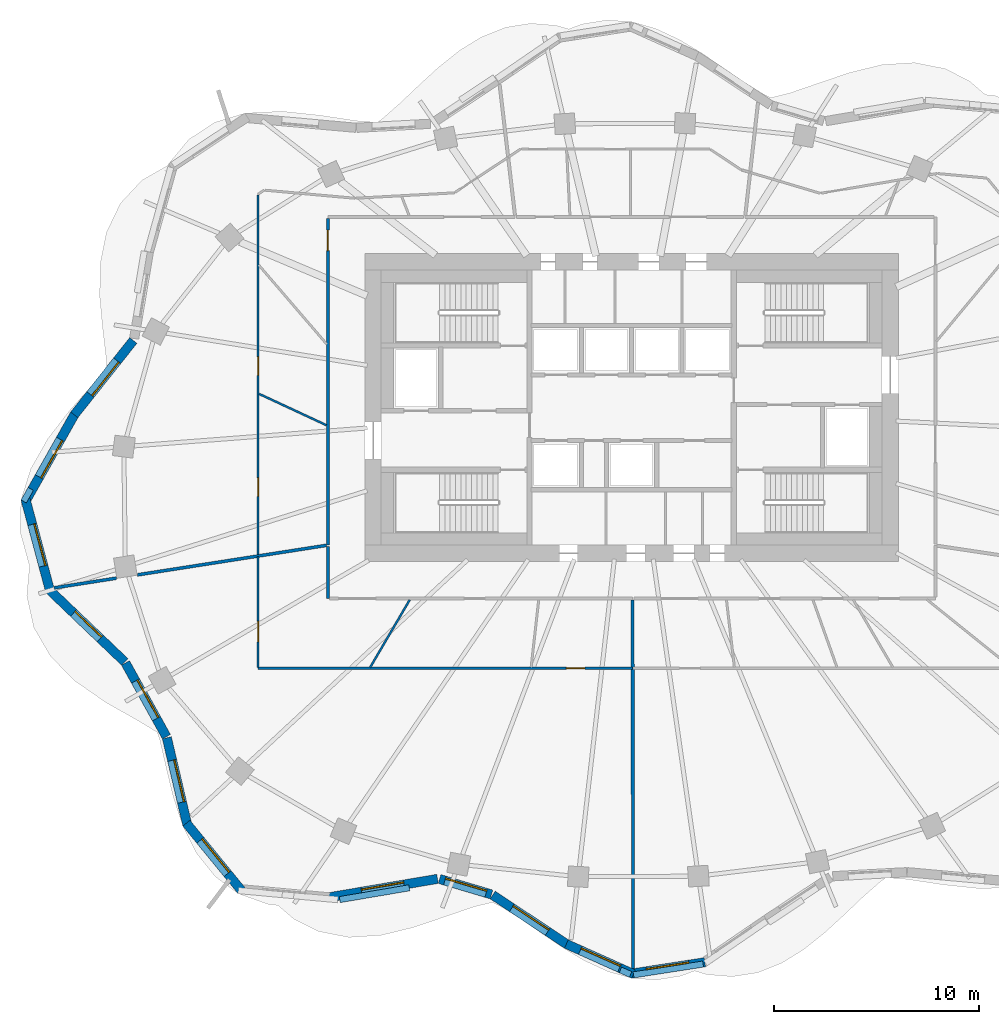
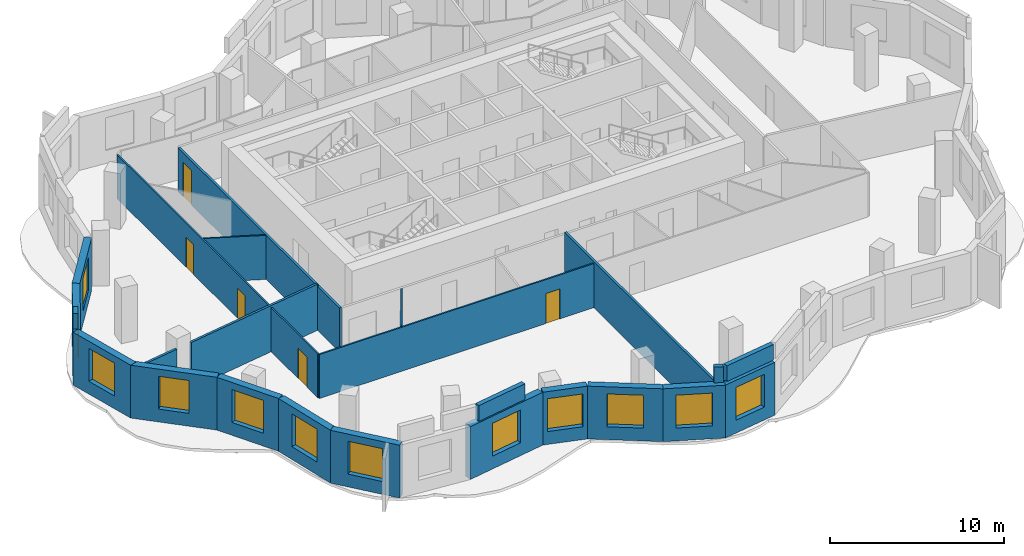
# One storey, part 3 of 9: 26 walls, 12 windows, 5 doors, 17 openings.
"""IFC4 building model written with IfcOpenShell, lengths in metres."""

from ifc_helpers import new_model, si_unit, direction, frame, frame_2d, origin, place, context, subcontext, project, spatial, rectangle, extrude, material, layer, layer_set, type_object, element, fill, save


model = new_model("IFC4")

# Units and contexts
model_context = context("Model", 3, precision=1e-05, world=origin(), true_north=direction((0.0, 1.0)))
body_context = subcontext(model_context, "Body", "Model", "MODEL_VIEW")
ifc_project = project(units=[si_unit("LENGTHUNIT", "METRE"), si_unit("AREAUNIT", "SQUARE_METRE"), si_unit("VOLUMEUNIT", "CUBIC_METRE"), si_unit("PLANEANGLEUNIT", "RADIAN"), si_unit("MASSUNIT", "GRAM", prefix="KILO")], contexts=[model_context])

# Site, building, storey
site_placement = place(None, origin())
site = spatial("IfcSite", under=ifc_project, at=site_placement, CompositionType="ELEMENT")
building_placement = place(site_placement, origin())
building = spatial("IfcBuilding", under=site, at=building_placement, Name="Rubra Terraces Tower", CompositionType="ELEMENT")
storey_placement = place(building_placement, frame((0.0, 0.0, 229.199951171875)))
storey = spatial("IfcBuildingStorey", under=building, at=storey_placement, Name="L56", CompositionType="ELEMENT", Elevation=229.199951171875)

# Wall, opening, window
ifc_material_1 = material(Name="Brick masonry red-brown", Category="masonry")
ifc_layer_1 = layer(ifc_material_1, 0.449951171875)
ifc_layer_set_1 = layer_set([ifc_layer_1], Name="Brick masonry red-brown")
wall_type_1 = type_object("IfcWallType", Name="Brick facade wall 450", PredefinedType="SOLIDWALL", material=ifc_layer_set_1)
wall_1_placement = place(storey_placement, frame((-24.2822265625, 7.773681640625, 0.0), z_axis=(0.0, 0.0, 1.0), x_axis=(-0.621735490397, -0.783227285008, 0.0)))
wall_1 = element("IfcWall", 1, at=wall_1_placement, inside=storey, type_object=wall_type_1, Name="Facade wall L56 bay 19", PredefinedType="SOLIDWALL", context=body_context, shape_type="SweptSolid", body=[
    extrude(rectangle(XDim=4.62451171875, YDim=0.449951171875, at=frame_2d((2.312255859375, 0.0))), origin(), (0.0, 0.0, 1.0), 3.699951171875),
])
opening_1_placement = place(wall_1_placement, frame((1.26220703125, 0.0, 0.89990234375)))
opening_1 = element("IfcOpeningElement", 2, at=opening_1_placement, cuts=wall_1, Name="Opening W1B", PredefinedType="OPENING", context=body_context, shape_type="SweptSolid", body=[
    extrude(rectangle(XDim=2.10009765625, YDim=2.300048828125, at=frame_2d((1.050048828125, 1.14990234375))), frame((0.0, 0.23486328125, 0.0), z_axis=(0.0, -1.0, 0.0), x_axis=(1.0, 0.0, 0.0)), (0.0, 0.0, 1.0), 0.469970703125),
])
ifc_material_2 = material(Name="Clear glass in aluminium frame", Category="aluminium")
window_type_1 = type_object("IfcWindowType", Name="Fixed deep-set window tall storey 2100 x 2300", PartitioningType="SINGLE_PANEL", PredefinedType="WINDOW", material=ifc_material_2)
window_1_placement = place(opening_1_placement, origin())
window_1 = element("IfcWindow", 3, at=window_1_placement, inside=storey, type_object=window_type_1, Name="Window L56 bay 19", OverallHeight=2.300048828125, OverallWidth=2.10009765625, PartitioningType="SINGLE_PANEL", PredefinedType="WINDOW", context=body_context, shape_type="SweptSolid", body=[
    extrude(rectangle(XDim=2.10009765625, YDim=2.300048828125, at=frame_2d((1.050048828125, 1.14990234375))), frame((0.0, 0.135009765625, 0.0), z_axis=(0.0, -1.0, 0.0), x_axis=(1.0, 0.0, 0.0)), (0.0, 0.0, 1.0), 0.06005859375),
])
fill(opening_1, window_1)

wall_2_placement = place(storey_placement, frame((-27.138427734375, 4.180908203125, 0.0), z_axis=(0.0, 0.0, 1.0), x_axis=(-0.491588303761, -0.870827732451, 0.0)))
wall_2 = element("IfcWall", 4, at=wall_2_placement, inside=storey, type_object=wall_type_1, Name="Facade wall L56 bay 20", PredefinedType="SOLIDWALL", context=body_context, shape_type="SweptSolid", body=[
    extrude(rectangle(XDim=4.924072265625, YDim=0.449951171875, at=frame_2d((2.4619140625, 0.0))), origin(), (0.0, 0.0, 1.0), 3.699951171875),
])
opening_2_placement = place(wall_2_placement, frame((1.412109375, 0.0, 0.89990234375)))
opening_2 = element("IfcOpeningElement", 5, at=opening_2_placement, cuts=wall_2, Name="Opening W1B", PredefinedType="OPENING", context=body_context, shape_type="SweptSolid", body=[
    extrude(rectangle(XDim=2.10009765625, YDim=2.300048828125, at=frame_2d((1.050048828125, 1.14990234375))), frame((0.0, 0.23486328125, 0.0), z_axis=(0.0, -1.0, 0.0), x_axis=(1.0, 0.0, 0.0)), (0.0, 0.0, 1.0), 0.469970703125),
])
window_2_placement = place(opening_2_placement, origin())
window_2 = element("IfcWindow", 6, at=window_2_placement, inside=storey, type_object=window_type_1, Name="Window L56 bay 20", OverallHeight=2.300048828125, OverallWidth=2.10009765625, PartitioningType="SINGLE_PANEL", PredefinedType="WINDOW", context=body_context, shape_type="SweptSolid", body=[
    extrude(rectangle(XDim=2.10009765625, YDim=2.300048828125, at=frame_2d((1.050048828125, 1.14990234375))), frame((0.0, 0.135009765625, 0.0), z_axis=(0.0, -1.0, 0.0), x_axis=(1.0, 0.0, 0.0)), (0.0, 0.0, 1.0), 0.06005859375),
])
fill(opening_2, window_2)

wall_3_placement = place(storey_placement, frame((-29.539794921875, 0.05810546875, 0.0), z_axis=(0.0, 0.0, 1.0), x_axis=(0.258581372102, -0.96598947924, 0.0)))
wall_3 = element("IfcWall", 7, at=wall_3_placement, inside=storey, type_object=wall_type_1, Name="Facade wall L56 bay 21", PredefinedType="SOLIDWALL", context=body_context, shape_type="SweptSolid", body=[
    extrude(rectangle(XDim=4.68017578125, YDim=0.449951171875, at=frame_2d((2.340087890625, 0.0))), origin(), (0.0, 0.0, 1.0), 3.699951171875),
])
opening_3_placement = place(wall_3_placement, frame((1.2900390625, 0.0, 0.89990234375)))
opening_3 = element("IfcOpeningElement", 8, at=opening_3_placement, cuts=wall_3, Name="Opening W1B", PredefinedType="OPENING", context=body_context, shape_type="SweptSolid", body=[
    extrude(rectangle(XDim=2.10009765625, YDim=2.300048828125, at=frame_2d((1.050048828125, 1.14990234375))), frame((0.0, 0.23486328125, 0.0), z_axis=(0.0, -1.0, 0.0), x_axis=(1.0, 0.0, 0.0)), (0.0, 0.0, 1.0), 0.469970703125),
])
window_3_placement = place(opening_3_placement, origin())
window_3 = element("IfcWindow", 9, at=window_3_placement, inside=storey, type_object=window_type_1, Name="Window L56 bay 21", OverallHeight=2.300048828125, OverallWidth=2.10009765625, PartitioningType="SINGLE_PANEL", PredefinedType="WINDOW", context=body_context, shape_type="SweptSolid", body=[
    extrude(rectangle(XDim=2.10009765625, YDim=2.300048828125, at=frame_2d((1.050048828125, 1.14990234375))), frame((0.0, 0.135009765625, 0.0), z_axis=(0.0, -1.0, 0.0), x_axis=(1.0, 0.0, 0.0)), (0.0, 0.0, 1.0), 0.06005859375),
])
fill(opening_3, window_3)

wall_4_placement = place(storey_placement, frame((-28.38720703125, -4.362548828125, 0.0), z_axis=(0.0, 0.0, 1.0), x_axis=(0.722717697728, -0.691143349379, 0.0)))
wall_4 = element("IfcWall", 10, at=wall_4_placement, inside=storey, type_object=wall_type_1, Name="Facade wall L56 bay 22", PredefinedType="SOLIDWALL", context=body_context, shape_type="SweptSolid", body=[
    extrude(rectangle(XDim=5.103271484375, YDim=0.449951171875, at=frame_2d((2.5517578125, 0.0))), origin(), (0.0, 0.0, 1.0), 3.699951171875),
])
opening_4_placement = place(wall_4_placement, frame((1.651611328125, 0.0, 0.89990234375)))
opening_4 = element("IfcOpeningElement", 11, at=opening_4_placement, cuts=wall_4, Name="Opening W6B", PredefinedType="OPENING", context=body_context, shape_type="SweptSolid", body=[
    extrude(rectangle(XDim=1.800048828125, YDim=2.300048828125, at=frame_2d((0.89990234375, 1.14990234375))), frame((0.0, 0.23486328125, 0.0), z_axis=(0.0, -1.0, 0.0), x_axis=(1.0, 0.0, 0.0)), (0.0, 0.0, 1.0), 0.469970703125),
])
window_type_2 = type_object("IfcWindowType", Name="Fixed deep-set window at wind fin tall storey 1800 x 2300", PartitioningType="SINGLE_PANEL", PredefinedType="WINDOW", material=ifc_material_2)
window_4_placement = place(opening_4_placement, origin())
window_4 = element("IfcWindow", 12, at=window_4_placement, inside=storey, type_object=window_type_2, Name="Window L56 bay 22", OverallHeight=2.300048828125, OverallWidth=1.800048828125, PartitioningType="SINGLE_PANEL", PredefinedType="WINDOW", context=body_context, shape_type="SweptSolid", body=[
    extrude(rectangle(XDim=1.800048828125, YDim=2.300048828125, at=frame_2d((0.89990234375, 1.14990234375))), frame((0.0, 0.135009765625, 0.0), z_axis=(0.0, -1.0, 0.0), x_axis=(1.0, 0.0, 0.0)), (0.0, 0.0, 1.0), 0.06005859375),
])
fill(opening_4, window_4)

wall_5_placement = place(storey_placement, frame((-24.662109375, -7.93896484375, 0.0), z_axis=(0.0, 0.0, 1.0), x_axis=(0.485153910721, -0.874428775208, 0.0)))
wall_5 = element("IfcWall", 13, at=wall_5_placement, inside=storey, type_object=wall_type_1, Name="Facade wall L56 bay 23", PredefinedType="SOLIDWALL", context=body_context, shape_type="SweptSolid", body=[
    extrude(rectangle(XDim=4.1123046875, YDim=0.449951171875, at=frame_2d((2.05615234375, 0.0))), origin(), (0.0, 0.0, 1.0), 3.699951171875),
])
opening_5_placement = place(wall_5_placement, frame((1.006103515625, 0.0, 0.89990234375)))
opening_5 = element("IfcOpeningElement", 14, at=opening_5_placement, cuts=wall_5, Name="Opening W1B", PredefinedType="OPENING", context=body_context, shape_type="SweptSolid", body=[
    extrude(rectangle(XDim=2.10009765625, YDim=2.300048828125, at=frame_2d((1.050048828125, 1.14990234375))), frame((0.0, 0.23486328125, 0.0), z_axis=(0.0, -1.0, 0.0), x_axis=(1.0, 0.0, 0.0)), (0.0, 0.0, 1.0), 0.469970703125),
])
window_5_placement = place(opening_5_placement, origin())
window_5 = element("IfcWindow", 15, at=window_5_placement, inside=storey, type_object=window_type_1, Name="Window L56 bay 23", OverallHeight=2.300048828125, OverallWidth=2.10009765625, PartitioningType="SINGLE_PANEL", PredefinedType="WINDOW", context=body_context, shape_type="SweptSolid", body=[
    extrude(rectangle(XDim=2.10009765625, YDim=2.300048828125, at=frame_2d((1.050048828125, 1.14990234375))), frame((0.0, 0.135009765625, 0.0), z_axis=(0.0, -1.0, 0.0), x_axis=(1.0, 0.0, 0.0)), (0.0, 0.0, 1.0), 0.06005859375),
])
fill(opening_5, window_5)

wall_6_placement = place(storey_placement, frame((-22.646484375, -11.5859375, 0.0), z_axis=(0.0, 0.0, 1.0), x_axis=(0.227925124198, -0.973678662475, 0.0)))
wall_6 = element("IfcWall", 16, at=wall_6_placement, inside=storey, type_object=wall_type_1, Name="Facade wall L56 bay 24", PredefinedType="SOLIDWALL", context=body_context, shape_type="SweptSolid", body=[
    extrude(rectangle(XDim=4.360595703125, YDim=0.449951171875, at=frame_2d((2.18017578125, 0.0))), origin(), (0.0, 0.0, 1.0), 3.699951171875),
])
opening_6_placement = place(wall_6_placement, frame((1.13037109375, 0.0, 0.89990234375)))
opening_6 = element("IfcOpeningElement", 17, at=opening_6_placement, cuts=wall_6, Name="Opening W1B", PredefinedType="OPENING", context=body_context, shape_type="SweptSolid", body=[
    extrude(rectangle(XDim=2.10009765625, YDim=2.300048828125, at=frame_2d((1.050048828125, 1.14990234375))), frame((0.0, 0.23486328125, 0.0), z_axis=(0.0, -1.0, 0.0), x_axis=(1.0, 0.0, 0.0)), (0.0, 0.0, 1.0), 0.469970703125),
])
window_6_placement = place(opening_6_placement, origin())
window_6 = element("IfcWindow", 18, at=window_6_placement, inside=storey, type_object=window_type_1, Name="Window L56 bay 24", OverallHeight=2.300048828125, OverallWidth=2.10009765625, PartitioningType="SINGLE_PANEL", PredefinedType="WINDOW", context=body_context, shape_type="SweptSolid", body=[
    extrude(rectangle(XDim=2.10009765625, YDim=2.300048828125, at=frame_2d((1.050048828125, 1.14990234375))), frame((0.0, 0.135009765625, 0.0), z_axis=(0.0, -1.0, 0.0), x_axis=(1.0, 0.0, 0.0)), (0.0, 0.0, 1.0), 0.06005859375),
])
fill(opening_6, window_6)

wall_7_placement = place(storey_placement, frame((-21.69580078125, -15.74755859375, 0.0), z_axis=(0.0, 0.0, 1.0), x_axis=(0.632968710519, -0.774177377288, 0.0)))
wall_7 = element("IfcWall", 19, at=wall_7_placement, inside=storey, type_object=wall_type_1, Name="Facade wall L56 bay 25", PredefinedType="SOLIDWALL", context=body_context, shape_type="SweptSolid", body=[
    extrude(rectangle(XDim=4.249755859375, YDim=0.449951171875, at=frame_2d((2.125, 0.0))), origin(), (0.0, 0.0, 1.0), 3.699951171875),
])
opening_7_placement = place(wall_7_placement, frame((1.074951171875, 0.0, 0.89990234375)))
opening_7 = element("IfcOpeningElement", 20, at=opening_7_placement, cuts=wall_7, Name="Opening W1B", PredefinedType="OPENING", context=body_context, shape_type="SweptSolid", body=[
    extrude(rectangle(XDim=2.10009765625, YDim=2.300048828125, at=frame_2d((1.050048828125, 1.14990234375))), frame((0.0, 0.23486328125, 0.0), z_axis=(0.0, -1.0, 0.0), x_axis=(1.0, 0.0, 0.0)), (0.0, 0.0, 1.0), 0.469970703125),
])
window_7_placement = place(opening_7_placement, origin())
window_7 = element("IfcWindow", 21, at=window_7_placement, inside=storey, type_object=window_type_1, Name="Window L56 bay 25", OverallHeight=2.300048828125, OverallWidth=2.10009765625, PartitioningType="SINGLE_PANEL", PredefinedType="WINDOW", context=body_context, shape_type="SweptSolid", body=[
    extrude(rectangle(XDim=2.10009765625, YDim=2.300048828125, at=frame_2d((1.050048828125, 1.14990234375))), frame((0.0, 0.135009765625, 0.0), z_axis=(0.0, -1.0, 0.0), x_axis=(1.0, 0.0, 0.0)), (0.0, 0.0, 1.0), 0.06005859375),
])
fill(opening_7, window_7)

wall_8_placement = place(storey_placement, frame((-14.78173828125, -19.366943359375, 0.0), z_axis=(0.0, 0.0, 1.0), x_axis=(0.98585584667, 0.167595493934, 0.0)))
wall_8 = element("IfcWall", 22, at=wall_8_placement, inside=storey, type_object=wall_type_1, Name="Facade wall L56 bay 27", PredefinedType="SOLIDWALL", context=body_context, shape_type="SweptSolid", body=[
    extrude(rectangle(XDim=5.398681640625, YDim=0.449951171875, at=frame_2d((2.69921875, 0.0))), origin(), (0.0, 0.0, 1.0), 3.699951171875),
])
opening_8_placement = place(wall_8_placement, frame((1.6494140625, 0.0, 0.89990234375)))
opening_8 = element("IfcOpeningElement", 23, at=opening_8_placement, cuts=wall_8, Name="Opening W1B", PredefinedType="OPENING", context=body_context, shape_type="SweptSolid", body=[
    extrude(rectangle(XDim=2.10009765625, YDim=2.300048828125, at=frame_2d((1.050048828125, 1.14990234375))), frame((0.0, 0.23486328125, 0.0), z_axis=(0.0, -1.0, 0.0), x_axis=(1.0, 0.0, 0.0)), (0.0, 0.0, 1.0), 0.469970703125),
])
window_8_placement = place(opening_8_placement, origin())
window_8 = element("IfcWindow", 24, at=window_8_placement, inside=storey, type_object=window_type_1, Name="Window L56 bay 27", OverallHeight=2.300048828125, OverallWidth=2.10009765625, PartitioningType="SINGLE_PANEL", PredefinedType="WINDOW", context=body_context, shape_type="SweptSolid", body=[
    extrude(rectangle(XDim=2.10009765625, YDim=2.300048828125, at=frame_2d((1.050048828125, 1.14990234375))), frame((0.0, 0.135009765625, 0.0), z_axis=(0.0, -1.0, 0.0), x_axis=(1.0, 0.0, 0.0)), (0.0, 0.0, 1.0), 0.06005859375),
])
fill(opening_8, window_8)

wall_9_placement = place(storey_placement, frame((-9.357421875, -18.468505859375, 0.0), z_axis=(0.0, 0.0, 1.0), x_axis=(0.958524054629, -0.285011643091, 0.0)))
wall_9 = element("IfcWall", 25, at=wall_9_placement, inside=storey, type_object=wall_type_1, Name="Facade wall L56 bay 28", PredefinedType="SOLIDWALL", context=body_context, shape_type="SweptSolid", body=[
    extrude(rectangle(XDim=2.637451171875, YDim=0.449951171875, at=frame_2d((1.31884765625, 0.0))), origin(), (0.0, 0.0, 1.0), 3.699951171875),
])
opening_9_placement = place(wall_9_placement, frame((0.268798828125, 0.0, 0.89990234375)))
opening_9 = element("IfcOpeningElement", 26, at=opening_9_placement, cuts=wall_9, Name="Opening W1B", PredefinedType="OPENING", context=body_context, shape_type="SweptSolid", body=[
    extrude(rectangle(XDim=2.10009765625, YDim=2.300048828125, at=frame_2d((1.050048828125, 1.14990234375))), frame((0.0, 0.23486328125, 0.0), z_axis=(0.0, -1.0, 0.0), x_axis=(1.0, 0.0, 0.0)), (0.0, 0.0, 1.0), 0.469970703125),
])
window_9_placement = place(opening_9_placement, origin())
window_9 = element("IfcWindow", 27, at=window_9_placement, inside=storey, type_object=window_type_1, Name="Window L56 bay 28", OverallHeight=2.300048828125, OverallWidth=2.10009765625, PartitioningType="SINGLE_PANEL", PredefinedType="WINDOW", context=body_context, shape_type="SweptSolid", body=[
    extrude(rectangle(XDim=2.10009765625, YDim=2.300048828125, at=frame_2d((1.050048828125, 1.14990234375))), frame((0.0, 0.135009765625, 0.0), z_axis=(0.0, -1.0, 0.0), x_axis=(1.0, 0.0, 0.0)), (0.0, 0.0, 1.0), 0.06005859375),
])
fill(opening_9, window_9)

wall_10_placement = place(storey_placement, frame((-6.76904296875, -19.248291015625, 0.0), z_axis=(0.0, 0.0, 1.0), x_axis=(0.832973379274, -0.553313066375, 0.0)))
wall_10 = element("IfcWall", 28, at=wall_10_placement, inside=storey, type_object=wall_type_1, Name="Facade wall L56 bay 29", PredefinedType="SOLIDWALL", context=body_context, shape_type="SweptSolid", body=[
    extrude(rectangle(XDim=4.348388671875, YDim=0.449951171875, at=frame_2d((2.17431640625, 0.0))), origin(), (0.0, 0.0, 1.0), 3.699951171875),
])
opening_10_placement = place(wall_10_placement, frame((1.1240234375, 0.0, 0.89990234375)))
opening_10 = element("IfcOpeningElement", 29, at=opening_10_placement, cuts=wall_10, Name="Opening W1B", PredefinedType="OPENING", context=body_context, shape_type="SweptSolid", body=[
    extrude(rectangle(XDim=2.10009765625, YDim=2.300048828125, at=frame_2d((1.050048828125, 1.14990234375))), frame((0.0, 0.23486328125, 0.0), z_axis=(0.0, -1.0, 0.0), x_axis=(1.0, 0.0, 0.0)), (0.0, 0.0, 1.0), 0.469970703125),
])
window_10_placement = place(opening_10_placement, origin())
window_10 = element("IfcWindow", 30, at=window_10_placement, inside=storey, type_object=window_type_1, Name="Window L56 bay 29", OverallHeight=2.300048828125, OverallWidth=2.10009765625, PartitioningType="SINGLE_PANEL", PredefinedType="WINDOW", context=body_context, shape_type="SweptSolid", body=[
    extrude(rectangle(XDim=2.10009765625, YDim=2.300048828125, at=frame_2d((1.050048828125, 1.14990234375))), frame((0.0, 0.135009765625, 0.0), z_axis=(0.0, -1.0, 0.0), x_axis=(1.0, 0.0, 0.0)), (0.0, 0.0, 1.0), 0.06005859375),
])
fill(opening_10, window_10)

wall_11_placement = place(storey_placement, frame((-3.179443359375, -21.63623046875, 0.0), z_axis=(0.0, 0.0, 1.0), x_axis=(0.912608353595, -0.40883492139, 0.0)))
wall_11 = element("IfcWall", 31, at=wall_11_placement, inside=storey, type_object=wall_type_1, Name="Facade wall L56 bay 30", PredefinedType="SOLIDWALL", context=body_context, shape_type="SweptSolid", body=[
    extrude(rectangle(XDim=3.584716796875, YDim=0.449951171875, at=frame_2d((1.79248046875, 0.0))), origin(), (0.0, 0.0, 1.0), 3.699951171875),
])
opening_11_placement = place(wall_11_placement, frame((0.7421875, 0.0, 0.89990234375)))
opening_11 = element("IfcOpeningElement", 32, at=opening_11_placement, cuts=wall_11, Name="Opening W1B", PredefinedType="OPENING", context=body_context, shape_type="SweptSolid", body=[
    extrude(rectangle(XDim=2.10009765625, YDim=2.300048828125, at=frame_2d((1.050048828125, 1.14990234375))), frame((0.0, 0.23486328125, 0.0), z_axis=(0.0, -1.0, 0.0), x_axis=(1.0, 0.0, 0.0)), (0.0, 0.0, 1.0), 0.469970703125),
])
window_11_placement = place(opening_11_placement, origin())
window_11 = element("IfcWindow", 33, at=window_11_placement, inside=storey, type_object=window_type_1, Name="Window L56 bay 30", OverallHeight=2.300048828125, OverallWidth=2.10009765625, PartitioningType="SINGLE_PANEL", PredefinedType="WINDOW", context=body_context, shape_type="SweptSolid", body=[
    extrude(rectangle(XDim=2.10009765625, YDim=2.300048828125, at=frame_2d((1.050048828125, 1.14990234375))), frame((0.0, 0.135009765625, 0.0), z_axis=(0.0, -1.0, 0.0), x_axis=(1.0, 0.0, 0.0)), (0.0, 0.0, 1.0), 0.06005859375),
])
fill(opening_11, window_11)

wall_12_placement = place(storey_placement, frame((-0.03466796875, -23.084716796875, 0.0), z_axis=(0.0, 0.0, 1.0), x_axis=(0.988133637562, 0.153596596054, 0.0)))
wall_12 = element("IfcWall", 34, at=wall_12_placement, inside=storey, type_object=wall_type_1, Name="Facade wall L56 bay 31", PredefinedType="SOLIDWALL", context=body_context, shape_type="SweptSolid", body=[
    extrude(rectangle(XDim=3.646240234375, YDim=0.449951171875, at=frame_2d((1.8232421875, 0.0))), origin(), (0.0, 0.0, 1.0), 3.699951171875),
])
opening_12_placement = place(wall_12_placement, frame((0.773193359375, 0.0, 0.89990234375)))
opening_12 = element("IfcOpeningElement", 35, at=opening_12_placement, cuts=wall_12, Name="Opening W1B", PredefinedType="OPENING", context=body_context, shape_type="SweptSolid", body=[
    extrude(rectangle(XDim=2.10009765625, YDim=2.300048828125, at=frame_2d((1.050048828125, 1.14990234375))), frame((0.0, 0.23486328125, 0.0), z_axis=(0.0, -1.0, 0.0), x_axis=(1.0, 0.0, 0.0)), (0.0, 0.0, 1.0), 0.469970703125),
])
window_12_placement = place(opening_12_placement, origin())
window_12 = element("IfcWindow", 36, at=window_12_placement, inside=storey, type_object=window_type_1, Name="Window L56 bay 31", OverallHeight=2.300048828125, OverallWidth=2.10009765625, PartitioningType="SINGLE_PANEL", PredefinedType="WINDOW", context=body_context, shape_type="SweptSolid", body=[
    extrude(rectangle(XDim=2.10009765625, YDim=2.300048828125, at=frame_2d((1.050048828125, 1.14990234375))), frame((0.0, 0.135009765625, 0.0), z_axis=(0.0, -1.0, 0.0), x_axis=(1.0, 0.0, 0.0)), (0.0, 0.0, 1.0), 0.06005859375),
])
fill(opening_12, window_12)

# Walls
ifc_layer_2 = layer(ifc_material_1, 0.300048828125)
ifc_layer_set_2 = layer_set([ifc_layer_2], Name="Brick masonry red-brown")
wall_type_2 = type_object("IfcWallType", Name="Brick parapet 300", PredefinedType="PARAPET", material=ifc_layer_set_2)
wall_13_placement = place(storey_placement, frame((-29.27880859375, 0.541748046875, 3.900146484375), z_axis=(0.0, 0.0, 1.0), x_axis=(-0.491577407194, -0.870833883549, 0.0)))
element("IfcWall", 37, at=wall_13_placement, inside=storey, type_object=wall_type_2, Name="Parapet L56 bay 20", PredefinedType="PARAPET", context=body_context, shape_type="SweptSolid", body=[
    extrude(rectangle(XDim=0.704345703125, YDim=0.300048828125, at=frame_2d((0.35205078125, 0.0))), origin(), (0.0, 0.0, 1.0), 1.099853515625),
])
wall_14_placement = place(storey_placement, frame((-14.220947265625, -19.473388671875, 3.900146484375), z_axis=(0.0, 0.0, 1.0), x_axis=(0.985864880964, 0.167542342353, 0.0)))
element("IfcWall", 38, at=wall_14_placement, inside=storey, type_object=wall_type_2, Name="Parapet L56 bay 27", PredefinedType="PARAPET", context=body_context, shape_type="SweptSolid", body=[
    extrude(rectangle(XDim=3.4375, YDim=0.300048828125, at=frame_2d((1.71875, 0.0))), origin(), (0.0, 0.0, 1.0), 1.099853515625),
])
wall_15_placement = place(storey_placement, frame((-0.54541015625, -22.898193359375, 3.900146484375), z_axis=(0.0, 0.0, 1.0), x_axis=(0.912497815069, -0.409081578044, 0.0)))
element("IfcWall", 39, at=wall_15_placement, inside=storey, type_object=wall_type_2, Name="Parapet L56 bay 30", PredefinedType="PARAPET", context=body_context, shape_type="SweptSolid", body=[
    extrude(rectangle(XDim=0.546142578125, YDim=0.300048828125, at=frame_2d((0.27294921875, 0.0))), origin(), (0.0, 0.0, 1.0), 1.099853515625),
])
wall_16_placement = place(storey_placement, frame((0.09423828125, -23.140380859375, 3.900146484375), z_axis=(0.0, 0.0, 1.0), x_axis=(0.988150084887, 0.153490748056, 0.0)))
element("IfcWall", 40, at=wall_16_placement, inside=storey, type_object=wall_type_2, Name="Parapet L56 bay 31", PredefinedType="PARAPET", context=body_context, shape_type="SweptSolid", body=[
    extrude(rectangle(XDim=3.42919921875, YDim=0.300048828125, at=frame_2d((1.714599609375, 0.0))), origin(), (0.0, 0.0, 1.0), 1.099853515625),
])

# Wall, opening, door
ifc_material_3 = material(Name="Plasterboard on steel stud, mineral wool infill", Category="steel")
ifc_layer_3 = layer(ifc_material_3, 0.14990234375)
ifc_layer_set_3 = layer_set([ifc_layer_3], Name="Plasterboard on steel stud, mineral wool infill")
wall_type_3 = type_object("IfcWallType", Name="CORRIDOR PARTITION 150", PredefinedType="PARTITIONING", material=ifc_layer_set_3)
wall_17_placement = place(storey_placement, frame((-14.800048828125, 13.72509765625, 0.0), z_axis=(0.0, 0.0, 1.0), x_axis=(0.0, -1.0, 0.0)))
wall_17 = element("IfcWall", 41, at=wall_17_placement, inside=storey, type_object=wall_type_3, Name="PARTITION", PredefinedType="PARTITIONING", context=body_context, shape_type="SweptSolid", body=[
    extrude(rectangle(XDim=15.924072265625, YDim=0.14990234375, at=frame_2d((7.9619140625, 0.0))), origin(), (0.0, 0.0, 1.0), 3.083984375),
])
opening_13_placement = place(wall_17_placement, frame((0.570068359375, 0.0, 0.0)))
opening_13 = element("IfcOpeningElement", 42, at=opening_13_placement, cuts=wall_17, Name="Opening 56-103", PredefinedType="OPENING", context=body_context, shape_type="SweptSolid", body=[
    extrude(rectangle(XDim=1.0, YDim=2.39990234375, at=frame_2d((0.5, 1.199951171875))), frame((0.0, 0.0849609375, 0.0), z_axis=(0.0, -1.0, 0.0), x_axis=(1.0, 0.0, 0.0)), (0.0, 0.0, 1.0), 0.169921875),
])
ifc_material_4 = material(Name="Glazed aluminium meeting door leaf", Category="aluminium")
door_type_1 = type_object("IfcDoorType", Name="MEETING ROOM GLAZED DOOR 1000 X 2400", OperationType="SINGLE_SWING_LEFT", PredefinedType="DOOR", material=ifc_material_4)
door_1_placement = place(opening_13_placement, origin())
door_1 = element("IfcDoor", 43, at=door_1_placement, inside=storey, type_object=door_type_1, Name="DOOR 56-103", OperationType="SINGLE_SWING_RIGHT", OverallHeight=2.39990234375, OverallWidth=1.0, PredefinedType="DOOR", context=body_context, shape_type="SweptSolid", body=[
    extrude(rectangle(XDim=1.0, YDim=2.39990234375, at=frame_2d((0.5, 1.199951171875))), frame((0.0, 0.02490234375, 0.0), z_axis=(0.0, -1.0, 0.0), x_axis=(1.0, 0.0, 0.0)), (0.0, 0.0, 1.0), 0.050048828125),
])
fill(opening_13, door_1)

# Wall
wall_18_placement = place(storey_placement, frame((-14.800048828125, -2.27392578125, 0.0), z_axis=(0.0, 0.0, 1.0), x_axis=(0.0, -1.0, 0.0)))
element("IfcWall", 44, at=wall_18_placement, inside=storey, type_object=wall_type_3, Name="PARTITION", PredefinedType="PARTITIONING", context=body_context, shape_type="SweptSolid", body=[
    extrude(rectangle(XDim=2.526123046875, YDim=0.14990234375, at=frame_2d((1.26318359375, 0.0))), origin(), (0.0, 0.0, 1.0), 3.083984375),
])

# Wall, openings, doors
ifc_material_5 = material(Name="Plasterboard on steel stud", Category="steel")
ifc_layer_4 = layer(ifc_material_5, 0.10009765625)
ifc_layer_set_4 = layer_set([ifc_layer_4], Name="Plasterboard on steel stud")
wall_type_4 = type_object("IfcWallType", Name="ROOM PARTITION 100", PredefinedType="PARTITIONING", material=ifc_layer_set_4)
wall_19_placement = place(storey_placement, frame((-18.199951171875, -2.709716796875, 0.0), z_axis=(0.0, 0.0, 1.0), x_axis=(0.0, 1.0, 0.0)))
wall_19 = element("IfcWall", 45, at=wall_19_placement, inside=storey, type_object=wall_type_4, Name="PARTITION", PredefinedType="PARTITIONING", context=body_context, shape_type="SweptSolid", body=[
    extrude(rectangle(XDim=17.56103515625, YDim=0.10009765625, at=frame_2d((8.780517578125, 0.0))), origin(), (0.0, 0.0, 1.0), 3.083984375),
])
opening_14_placement = place(wall_19_placement, frame((8.778076171875, 0.0, 0.0)))
opening_14 = element("IfcOpeningElement", 46, at=opening_14_placement, cuts=wall_19, Name="Opening 56-104", PredefinedType="OPENING", context=body_context, shape_type="SweptSolid", body=[
    extrude(rectangle(XDim=0.89990234375, YDim=2.10009765625, at=frame_2d((0.449951171875, 1.050048828125))), frame((0.0, 0.06005859375, 0.0), z_axis=(0.0, -1.0, 0.0), x_axis=(1.0, 0.0, 0.0)), (0.0, 0.0, 1.0), 0.1201171875),
])
opening_15_placement = place(wall_19_placement, frame((2.883056640625, 0.0, 0.0)))
opening_15 = element("IfcOpeningElement", 47, at=opening_15_placement, cuts=wall_19, Name="Opening 56-105", PredefinedType="OPENING", context=body_context, shape_type="SweptSolid", body=[
    extrude(rectangle(XDim=0.89990234375, YDim=2.10009765625, at=frame_2d((0.449951171875, 1.050048828125))), frame((0.0, 0.06005859375, 0.0), z_axis=(0.0, -1.0, 0.0), x_axis=(1.0, 0.0, 0.0)), (0.0, 0.0, 1.0), 0.1201171875),
])
ifc_material_6 = material(Name="Painted timber door leaf", Category="wood")
door_type_2 = type_object("IfcDoorType", Name="ROOM DOOR 900 X 2100", OperationType="SINGLE_SWING_LEFT", PredefinedType="DOOR", material=ifc_material_6)
door_2_placement = place(opening_14_placement, origin())
door_2 = element("IfcDoor", 48, at=door_2_placement, inside=storey, type_object=door_type_2, Name="DOOR 56-104", OperationType="SINGLE_SWING_LEFT", OverallHeight=2.10009765625, OverallWidth=0.89990234375, PredefinedType="DOOR", context=body_context, shape_type="SweptSolid", body=[
    extrude(rectangle(XDim=0.89990234375, YDim=2.10009765625, at=frame_2d((0.449951171875, 1.050048828125))), frame((0.0, 0.02490234375, 0.0), z_axis=(0.0, -1.0, 0.0), x_axis=(1.0, 0.0, 0.0)), (0.0, 0.0, 1.0), 0.050048828125),
])
fill(opening_14, door_2)
door_3_placement = place(opening_15_placement, origin())
door_3 = element("IfcDoor", 49, at=door_3_placement, inside=storey, type_object=door_type_2, Name="DOOR 56-105", OperationType="SINGLE_SWING_LEFT", OverallHeight=2.10009765625, OverallWidth=0.89990234375, PredefinedType="DOOR", context=body_context, shape_type="SweptSolid", body=[
    extrude(rectangle(XDim=0.89990234375, YDim=2.10009765625, at=frame_2d((0.449951171875, 1.050048828125))), frame((0.0, 0.02490234375, 0.0), z_axis=(0.0, -1.0, 0.0), x_axis=(1.0, 0.0, 0.0)), (0.0, 0.0, 1.0), 0.050048828125),
])
fill(opening_15, door_3)

# Wall
wall_20_placement = place(storey_placement, frame((-14.867919921875, 3.6435546875, 0.0), z_axis=(0.0, 0.0, 1.0), x_axis=(-0.906769022566, 0.421627726455, 0.0)))
element("IfcWall", 50, at=wall_20_placement, inside=storey, type_object=wall_type_4, Name="PARTITION", PredefinedType="PARTITIONING", context=body_context, shape_type="SweptSolid", body=[
    extrude(rectangle(XDim=3.624755859375, YDim=0.10009765625, at=frame_2d((1.8125, 0.0))), origin(), (0.0, 0.0, 1.0), 3.083984375),
])

# Wall, opening, door
wall_21_placement = place(storey_placement, frame((0.033935546875, -8.199951171875, 0.0), z_axis=(0.0, 0.0, 1.0), x_axis=(-1.0, 0.0, 0.0)))
wall_21 = element("IfcWall", 51, at=wall_21_placement, inside=storey, type_object=wall_type_4, Name="PARTITION", PredefinedType="PARTITIONING", context=body_context, shape_type="SweptSolid", body=[
    extrude(rectangle(XDim=18.23388671875, YDim=0.10009765625, at=frame_2d((9.116943359375, 0.0))), origin(), (0.0, 0.0, 1.0), 3.083984375),
])
opening_16_placement = place(wall_21_placement, frame((2.31005859375, 0.0, 0.0)))
opening_16 = element("IfcOpeningElement", 52, at=opening_16_placement, cuts=wall_21, Name="Opening 56-109", PredefinedType="OPENING", context=body_context, shape_type="SweptSolid", body=[
    extrude(rectangle(XDim=0.89990234375, YDim=2.10009765625, at=frame_2d((0.449951171875, 1.050048828125))), frame((0.0, 0.06005859375, 0.0), z_axis=(0.0, -1.0, 0.0), x_axis=(1.0, 0.0, 0.0)), (0.0, 0.0, 1.0), 0.1201171875),
])
door_4_placement = place(opening_16_placement, origin())
door_4 = element("IfcDoor", 53, at=door_4_placement, inside=storey, type_object=door_type_2, Name="DOOR 56-109", OperationType="SINGLE_SWING_LEFT", OverallHeight=2.10009765625, OverallWidth=0.89990234375, PredefinedType="DOOR", context=body_context, shape_type="SweptSolid", body=[
    extrude(rectangle(XDim=0.89990234375, YDim=2.10009765625, at=frame_2d((0.449951171875, 1.050048828125))), frame((0.0, 0.02490234375, 0.0), z_axis=(0.0, -1.0, 0.0), x_axis=(1.0, 0.0, 0.0)), (0.0, 0.0, 1.0), 0.050048828125),
])
fill(opening_16, door_4)

wall_22_placement = place(storey_placement, frame((-18.199951171875, -8.14990234375, 0.0), z_axis=(0.0, 0.0, 1.0), x_axis=(0.0, 1.0, 0.0)))
wall_22 = element("IfcWall", 54, at=wall_22_placement, inside=storey, type_object=wall_type_4, Name="PARTITION", PredefinedType="PARTITIONING", context=body_context, shape_type="SweptSolid", body=[
    extrude(rectangle(XDim=5.399658203125, YDim=0.10009765625, at=frame_2d((2.69970703125, 0.0))), origin(), (0.0, 0.0, 1.0), 3.083984375),
])
opening_17_placement = place(wall_22_placement, frame((1.23193359375, 0.0, 0.0)))
opening_17 = element("IfcOpeningElement", 55, at=opening_17_placement, cuts=wall_22, Name="Opening 56-107", PredefinedType="OPENING", context=body_context, shape_type="SweptSolid", body=[
    extrude(rectangle(XDim=1.0, YDim=2.10009765625, at=frame_2d((0.5, 1.050048828125))), frame((0.0, 0.06005859375, 0.0), z_axis=(0.0, -1.0, 0.0), x_axis=(1.0, 0.0, 0.0)), (0.0, 0.0, 1.0), 0.1201171875),
])
door_type_3 = type_object("IfcDoorType", Name="ROOM DOOR 1000 X 2100", OperationType="SINGLE_SWING_LEFT", PredefinedType="DOOR", material=ifc_material_6)
door_5_placement = place(opening_17_placement, origin())
door_5 = element("IfcDoor", 56, at=door_5_placement, inside=storey, type_object=door_type_3, Name="DOOR 56-107", OperationType="SINGLE_SWING_RIGHT", OverallHeight=2.10009765625, OverallWidth=1.0, PredefinedType="DOOR", context=body_context, shape_type="SweptSolid", body=[
    extrude(rectangle(XDim=1.0, YDim=2.10009765625, at=frame_2d((0.5, 1.050048828125))), frame((0.0, 0.02490234375, 0.0), z_axis=(0.0, -1.0, 0.0), x_axis=(1.0, 0.0, 0.0)), (0.0, 0.0, 1.0), 0.050048828125),
])
fill(opening_17, door_5)

# Walls
wall_23_placement = place(storey_placement, frame((-10.811279296875, -4.86474609375, 0.0), z_axis=(0.0, 0.0, 1.0), x_axis=(-0.505719499712, -0.862697970098, 0.0)))
element("IfcWall", 57, at=wall_23_placement, inside=storey, type_object=wall_type_4, Name="PARTITION", PredefinedType="PARTITIONING", context=body_context, shape_type="SweptSolid", body=[
    extrude(rectangle(XDim=3.816162109375, YDim=0.10009765625, at=frame_2d((1.908203125, 0.0))), origin(), (0.0, 0.0, 1.0), 3.083984375),
])
ifc_layer_5 = layer(ifc_material_5, 0.14990234375)
ifc_layer_set_5 = layer_set([ifc_layer_5], Name="Plasterboard on steel stud")
wall_type_5 = type_object("IfcWallType", Name="ROOM PARTITION 150", PredefinedType="PARTITIONING", material=ifc_layer_set_5)
wall_24_placement = place(storey_placement, frame((-28.1396484375, -4.282470703125, 0.0), z_axis=(0.0, 0.0, 1.0), x_axis=(0.98801998677, 0.154325972356, 0.0)))
element("IfcWall", 58, at=wall_24_placement, inside=storey, type_object=wall_type_5, Name="PARTITION", PredefinedType="PARTITIONING", context=body_context, shape_type="SweptSolid", body=[
    extrude(rectangle(XDim=3.072265625, YDim=0.14990234375, at=frame_2d((1.5361328125, 0.0))), origin(), (0.0, 0.0, 1.0), 3.234130859375),
])
wall_25_placement = place(storey_placement, frame((-24.07666015625, -3.647705078125, 0.0), z_axis=(0.0, 0.0, 1.0), x_axis=(0.988026771809, 0.154282527163, 0.0)))
element("IfcWall", 59, at=wall_25_placement, inside=storey, type_object=wall_type_5, Name="PARTITION", PredefinedType="PARTITIONING", context=body_context, shape_type="SweptSolid", body=[
    extrude(rectangle(XDim=9.314208984375, YDim=0.14990234375, at=frame_2d((4.6572265625, 0.0))), origin(), (0.0, 0.0, 1.0), 3.234130859375),
])
wall_26_placement = place(storey_placement, frame((0.0625, -22.83740234375, 0.0), z_axis=(0.0, 0.0, 1.0), x_axis=(-0.000584445492, 0.999999829212, 0.0)))
element("IfcWall", 60, at=wall_26_placement, inside=storey, type_object=wall_type_5, Name="PARTITION", PredefinedType="PARTITIONING", context=body_context, shape_type="SweptSolid", body=[
    extrude(rectangle(XDim=17.96240234375, YDim=0.14990234375, at=frame_2d((8.981201171875, 0.0))), origin(), (0.0, 0.0, 1.0), 3.234130859375),
])

save(model, "model.ifc")
